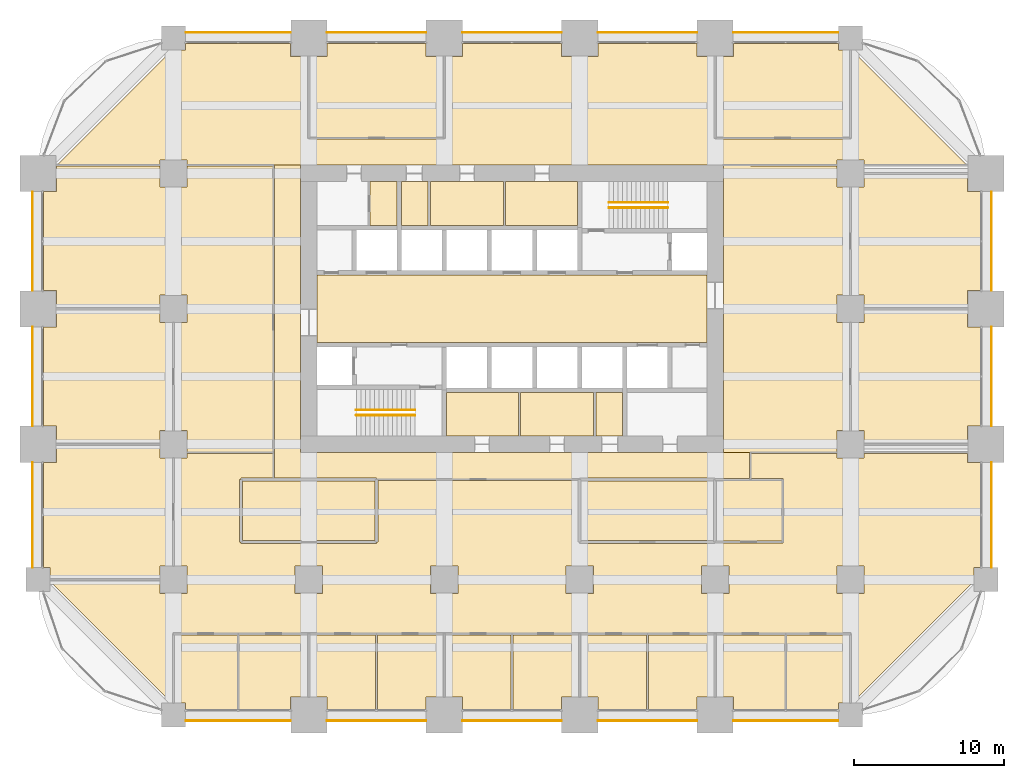
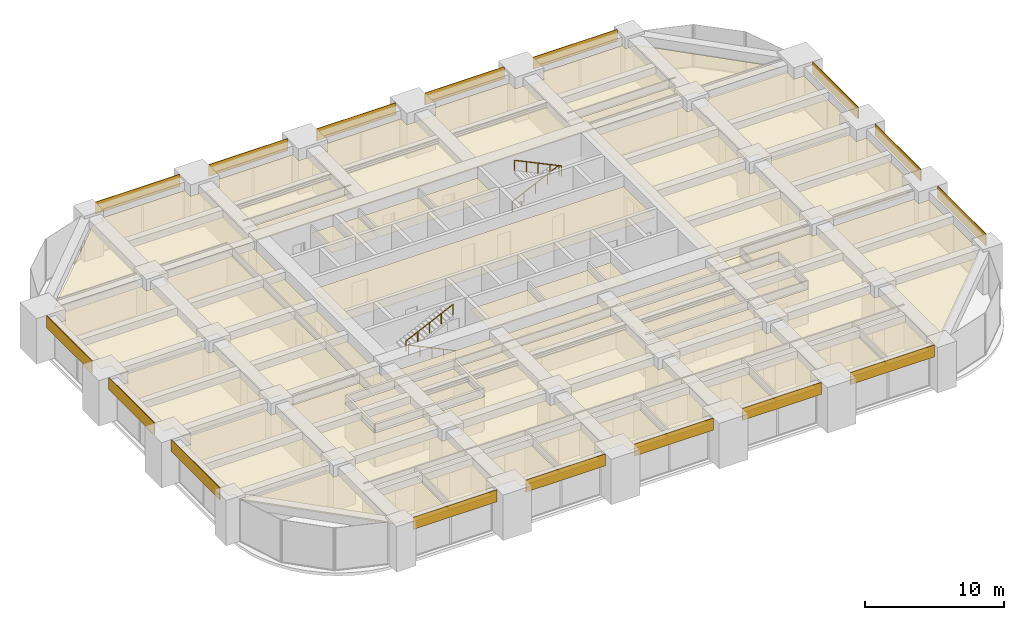
# One storey, part 40 of 40: 48 coverings, 4 railings.
"""IFC4 building model written with IfcOpenShell, lengths in metres."""

from ifc_helpers import new_model, si_unit, direction, frame, frame_2d, origin, origin_2d, place, context, subcontext, project, spatial, polyline, rectangle, circle, outline, extrude, material, layer, layer_set, type_object, element, save


model = new_model("IFC4")

# Units and contexts
model_context = context("Model", 3, precision=1e-05, world=origin(), true_north=direction((0.0, 1.0)))
body_context = subcontext(model_context, "Body", "Model", "MODEL_VIEW")
ifc_project = project(units=[si_unit("LENGTHUNIT", "METRE"), si_unit("AREAUNIT", "SQUARE_METRE"), si_unit("VOLUMEUNIT", "CUBIC_METRE"), si_unit("PLANEANGLEUNIT", "RADIAN"), si_unit("MASSUNIT", "GRAM", prefix="KILO")], contexts=[model_context])

# Site, building, storey
site_placement = place(None, origin())
site = spatial("IfcSite", under=ifc_project, at=site_placement, CompositionType="ELEMENT")
building_placement = place(site_placement, origin())
building = spatial("IfcBuilding", under=site, at=building_placement, Name="Zorevar Civic Tower", CompositionType="ELEMENT")
storey_placement = place(building_placement, frame((0.0, 0.0, 133.0)))
storey = spatial("IfcBuildingStorey", under=building, at=storey_placement, Name="L32", CompositionType="ELEMENT", Elevation=133.0)

# Railings
ifc_material_1 = material(Name="Black steel handrail", Category="steel")
railing_type = type_object("IfcRailingType", Name="Handrail HR1 900", PredefinedType="HANDRAIL", material=ifc_material_1)
railing_1_placement = place(storey_placement, frame((25.050048828125, 19.925048828125, 0.142822265625)))
element("IfcRailing", 1, at=railing_1_placement, inside=storey, type_object=railing_type, Name="Handrail HR1 ST1 L32", PredefinedType="HANDRAIL", context=body_context, shape_type="SweptSolid", body=[
    extrude(circle(Radius=0.02392578125, at=origin_2d()), frame((0.0, 0.0, 0.8759765625), z_axis=(-0.902863652845, 0.0, 0.429926998885), x_axis=(0.0, -1.0, 0.0)), (0.0, 0.0, 1.0), 4.31982421875),
    extrude(circle(Radius=0.02099609375, at=origin_2d()), origin(), (0.0, 0.0, 1.0), 0.851806640625),
    extrude(circle(Radius=0.02099609375, at=origin_2d()), frame((-0.97509765625, 0.0, 0.46435546875)), (0.0, 0.0, 1.0), 0.851806640625),
    extrude(circle(Radius=0.02099609375, at=origin_2d()), frame((-1.9501953125, 0.0, 0.9287109375)), (0.0, 0.0, 1.0), 0.851806640625),
    extrude(circle(Radius=0.02099609375, at=origin_2d()), frame((-2.925048828125, 0.0, 1.392822265625)), (0.0, 0.0, 1.0), 0.851806640625),
    extrude(circle(Radius=0.02099609375, at=origin_2d()), frame((-3.900146484375, 0.0, 1.857177734375)), (0.0, 0.0, 1.0), 0.851806640625),
])
for number, where, name in (
    (2, (21.14990234375, 20.27490234375, 2.142822265625), "Handrail HR1 ST1 L32"),
    (3, (37.949951171875, 34.074951171875, 0.142822265625), "Handrail HR1 ST2 L32"),
):
    element("IfcRailing", number, at=place(storey_placement, frame(where)), inside=storey, type_object=railing_type, Name=name, PredefinedType="HANDRAIL", context=body_context, shape_type="SweptSolid", body=[
        extrude(circle(Radius=0.02392578125, at=origin_2d()), frame((0.0, 0.0, 0.8759765625), z_axis=(0.902863652845, 0.0, 0.429926998885), x_axis=(0.0, 1.0, 0.0)), (0.0, 0.0, 1.0), 4.31982421875),
        extrude(circle(Radius=0.02099609375, at=origin_2d()), origin(), (0.0, 0.0, 1.0), 0.851806640625),
        extrude(circle(Radius=0.02099609375, at=origin_2d()), frame((0.97509765625, 0.0, 0.46435546875)), (0.0, 0.0, 1.0), 0.851806640625),
        extrude(circle(Radius=0.02099609375, at=origin_2d()), frame((1.9501953125, 0.0, 0.9287109375)), (0.0, 0.0, 1.0), 0.851806640625),
        extrude(circle(Radius=0.02099609375, at=origin_2d()), frame((2.925048828125, 0.0, 1.392822265625)), (0.0, 0.0, 1.0), 0.851806640625),
        extrude(circle(Radius=0.02099609375, at=origin_2d()), frame((3.900146484375, 0.0, 1.857177734375)), (0.0, 0.0, 1.0), 0.851806640625),
    ])
railing_2_placement = place(storey_placement, frame((41.85009765625, 33.72509765625, 2.142822265625)))
element("IfcRailing", 4, at=railing_2_placement, inside=storey, type_object=railing_type, Name="Handrail HR1 ST2 L32", PredefinedType="HANDRAIL", context=body_context, shape_type="SweptSolid", body=[
    extrude(circle(Radius=0.02392578125, at=origin_2d()), frame((0.0, 0.0, 0.8759765625), z_axis=(-0.902863652845, 0.0, 0.429926998885), x_axis=(0.0, -1.0, 0.0)), (0.0, 0.0, 1.0), 4.31982421875),
    extrude(circle(Radius=0.02099609375, at=origin_2d()), origin(), (0.0, 0.0, 1.0), 0.851806640625),
    extrude(circle(Radius=0.02099609375, at=origin_2d()), frame((-0.97509765625, 0.0, 0.46435546875)), (0.0, 0.0, 1.0), 0.851806640625),
    extrude(circle(Radius=0.02099609375, at=origin_2d()), frame((-1.9501953125, 0.0, 0.9287109375)), (0.0, 0.0, 1.0), 0.851806640625),
    extrude(circle(Radius=0.02099609375, at=origin_2d()), frame((-2.925048828125, 0.0, 1.392822265625)), (0.0, 0.0, 1.0), 0.851806640625),
    extrude(circle(Radius=0.02099609375, at=origin_2d()), frame((-3.900146484375, 0.0, 1.857177734375)), (0.0, 0.0, 1.0), 0.851806640625),
])

# Coverings
ifc_material_2 = material(Name="Moisture-resistant gypsum board")
ifc_layer_1 = layer(ifc_material_2, 0.012451171875)
ifc_layer_set_1 = layer_set([ifc_layer_1], Name="Moisture-resistant ceiling SC3")
covering_type_1 = type_object("IfcCoveringType", Name="Moisture-resistant ceiling SC3", PredefinedType="CEILING", material=ifc_layer_set_1)
covering_1_placement = place(storey_placement, frame((0.0, 0.0, 3.0)))
element("IfcCovering", 5, at=covering_1_placement, inside=storey, type_object=covering_type_1, Name="Ceiling L32-05", PredefinedType="CEILING", context=body_context, shape_type="SweptSolid", body=[
    extrude(outline(polyline([(31.925048828125, 18.550048828125), (31.925048828125, 21.449951171875), (27.14990234375, 21.449951171875), (27.14990234375, 18.550048828125), (31.925048828125, 18.550048828125)])), origin(), (0.0, 0.0, 1.0), 0.012451171875),
])
covering_2_placement = place(storey_placement, frame((0.0, 0.0, 3.0)))
element("IfcCovering", 6, at=covering_2_placement, inside=storey, type_object=covering_type_1, Name="Ceiling L32-06", PredefinedType="CEILING", context=body_context, shape_type="SweptSolid", body=[
    extrude(outline(polyline([(36.925048828125, 18.550048828125), (36.925048828125, 21.449951171875), (32.074951171875, 21.449951171875), (32.074951171875, 18.550048828125), (36.925048828125, 18.550048828125)])), origin(), (0.0, 0.0, 1.0), 0.012451171875),
])
covering_3_placement = place(storey_placement, frame((0.0, 0.0, 3.0)))
element("IfcCovering", 7, at=covering_3_placement, inside=storey, type_object=covering_type_1, Name="Ceiling L32-07", PredefinedType="CEILING", context=body_context, shape_type="SweptSolid", body=[
    extrude(outline(polyline([(38.85009765625, 18.550048828125), (38.85009765625, 21.449951171875), (37.074951171875, 21.449951171875), (37.074951171875, 18.550048828125), (38.85009765625, 18.550048828125)])), origin(), (0.0, 0.0, 1.0), 0.012451171875),
])
covering_4_placement = place(storey_placement, frame((0.0, 0.0, 3.0)))
element("IfcCovering", 8, at=covering_4_placement, inside=storey, type_object=covering_type_1, Name="Ceiling L32-08", PredefinedType="CEILING", context=body_context, shape_type="SweptSolid", body=[
    extrude(outline(polyline([(35.85009765625, 32.550048828125), (35.85009765625, 35.449951171875), (31.074951171875, 35.449951171875), (31.074951171875, 32.550048828125), (35.85009765625, 32.550048828125)])), origin(), (0.0, 0.0, 1.0), 0.012451171875),
])
covering_5_placement = place(storey_placement, frame((0.0, 0.0, 3.0)))
element("IfcCovering", 9, at=covering_5_placement, inside=storey, type_object=covering_type_1, Name="Ceiling L32-09", PredefinedType="CEILING", context=body_context, shape_type="SweptSolid", body=[
    extrude(outline(polyline([(30.925048828125, 32.550048828125), (30.925048828125, 35.449951171875), (26.074951171875, 35.449951171875), (26.074951171875, 32.550048828125), (30.925048828125, 32.550048828125)])), origin(), (0.0, 0.0, 1.0), 0.012451171875),
])
covering_6_placement = place(storey_placement, frame((0.0, 0.0, 3.0)))
element("IfcCovering", 10, at=covering_6_placement, inside=storey, type_object=covering_type_1, Name="Ceiling L32-10", PredefinedType="CEILING", context=body_context, shape_type="SweptSolid", body=[
    extrude(outline(polyline([(25.925048828125, 32.550048828125), (25.925048828125, 35.449951171875), (24.14990234375, 35.449951171875), (24.14990234375, 32.550048828125), (25.925048828125, 32.550048828125)])), origin(), (0.0, 0.0, 1.0), 0.012451171875),
])
ifc_material_3 = material(Name="Black anodised aluminium spandrel panel", Category="aluminium")
ifc_layer_2 = layer(ifc_material_3, 0.050048828125)
ifc_layer_set_2 = layer_set([ifc_layer_2], Name="Spandrel cladding SP1")
covering_type_2 = type_object("IfcCoveringType", Name="Spandrel cladding SP1", PredefinedType="CLADDING", material=ifc_layer_set_2)
covering_7_placement = place(storey_placement, frame((9.800048828125, -0.375, 2.949951171875), z_axis=(0.0, 0.0, 1.0), x_axis=(1.0, 0.0, 0.0)))
element("IfcCovering", 11, at=covering_7_placement, inside=storey, type_object=covering_type_2, Name="Spandrel cladding L33", PredefinedType="CLADDING", context=body_context, shape_type="SweptSolid", body=[
    extrude(rectangle(XDim=7.0, YDim=0.050048828125, at=frame_2d((3.5, 0.0))), origin(), (0.0, 0.0, 1.0), 1.050048828125),
])
for number, where, z_axis, x_axis, name in (
    (12, (19.199951171875, -0.375, 2.949951171875), (0.0, 0.0, 1.0), (1.0, 0.0, 0.0), "Spandrel cladding L33"),
    (13, (28.199951171875, -0.375, 2.949951171875), (0.0, 0.0, 1.0), (1.0, 0.0, 0.0), "Spandrel cladding L33"),
    (14, (37.199951171875, -0.375, 2.949951171875), (0.0, 0.0, 1.0), (1.0, 0.0, 0.0), "Spandrel cladding L33"),
):
    element("IfcCovering", number, at=place(storey_placement, frame(where, z_axis=z_axis, x_axis=x_axis)), inside=storey, type_object=covering_type_2, Name=name, PredefinedType="CLADDING", context=body_context, shape_type="SweptSolid", body=[
        extrude(rectangle(XDim=6.60009765625, YDim=0.050048828125, at=frame_2d((3.300048828125, 0.0))), origin(), (0.0, 0.0, 1.0), 1.050048828125),
    ])
for number, where, z_axis, x_axis, name in (
    (15, (46.199951171875, -0.375, 2.949951171875), (0.0, 0.0, 1.0), (1.0, 0.0, 0.0), "Spandrel cladding L33"),
    (16, (9.800048828125, 45.375, 2.949951171875), (0.0, 0.0, 1.0), (1.0, 0.0, 0.0), "Spandrel cladding L33"),
):
    element("IfcCovering", number, at=place(storey_placement, frame(where, z_axis=z_axis, x_axis=x_axis)), inside=storey, type_object=covering_type_2, Name=name, PredefinedType="CLADDING", context=body_context, shape_type="SweptSolid", body=[
        extrude(rectangle(XDim=7.0, YDim=0.050048828125, at=frame_2d((3.5, 0.0))), origin(), (0.0, 0.0, 1.0), 1.050048828125),
    ])
for number, where, z_axis, x_axis, name in (
    (17, (19.199951171875, 45.375, 2.949951171875), (0.0, 0.0, 1.0), (1.0, 0.0, 0.0), "Spandrel cladding L33"),
    (18, (28.199951171875, 45.375, 2.949951171875), (0.0, 0.0, 1.0), (1.0, 0.0, 0.0), "Spandrel cladding L33"),
    (19, (37.199951171875, 45.375, 2.949951171875), (0.0, 0.0, 1.0), (1.0, 0.0, 0.0), "Spandrel cladding L33"),
):
    element("IfcCovering", number, at=place(storey_placement, frame(where, z_axis=z_axis, x_axis=x_axis)), inside=storey, type_object=covering_type_2, Name=name, PredefinedType="CLADDING", context=body_context, shape_type="SweptSolid", body=[
        extrude(rectangle(XDim=6.60009765625, YDim=0.050048828125, at=frame_2d((3.300048828125, 0.0))), origin(), (0.0, 0.0, 1.0), 1.050048828125),
    ])
for number, where, z_axis, x_axis, name in (
    (20, (46.199951171875, 45.375, 2.949951171875), (0.0, 0.0, 1.0), (1.0, 0.0, 0.0), "Spandrel cladding L33"),
    (21, (-0.375, 9.800048828125, 2.949951171875), (0.0, 0.0, 1.0), (0.0, 1.0, 0.0), "Spandrel cladding L33"),
):
    element("IfcCovering", number, at=place(storey_placement, frame(where, z_axis=z_axis, x_axis=x_axis)), inside=storey, type_object=covering_type_2, Name=name, PredefinedType="CLADDING", context=body_context, shape_type="SweptSolid", body=[
        extrude(rectangle(XDim=7.0, YDim=0.050048828125, at=frame_2d((3.5, 0.0))), origin(), (0.0, 0.0, 1.0), 1.050048828125),
    ])
for number, where, z_axis, x_axis, name in (
    (22, (-0.375, 19.199951171875, 2.949951171875), (0.0, 0.0, 1.0), (0.0, 1.0, 0.0), "Spandrel cladding L33"),
    (23, (-0.375, 28.199951171875, 2.949951171875), (0.0, 0.0, 1.0), (0.0, 1.0, 0.0), "Spandrel cladding L33"),
):
    element("IfcCovering", number, at=place(storey_placement, frame(where, z_axis=z_axis, x_axis=x_axis)), inside=storey, type_object=covering_type_2, Name=name, PredefinedType="CLADDING", context=body_context, shape_type="SweptSolid", body=[
        extrude(rectangle(XDim=6.60009765625, YDim=0.050048828125, at=frame_2d((3.300048828125, 0.0))), origin(), (0.0, 0.0, 1.0), 1.050048828125),
    ])
covering_8_placement = place(storey_placement, frame((63.375, 9.800048828125, 2.949951171875), z_axis=(0.0, 0.0, 1.0), x_axis=(0.0, 1.0, 0.0)))
element("IfcCovering", 24, at=covering_8_placement, inside=storey, type_object=covering_type_2, Name="Spandrel cladding L33", PredefinedType="CLADDING", context=body_context, shape_type="SweptSolid", body=[
    extrude(rectangle(XDim=7.0, YDim=0.050048828125, at=frame_2d((3.5, 0.0))), origin(), (0.0, 0.0, 1.0), 1.050048828125),
])
for number, where, z_axis, x_axis, name in (
    (25, (63.375, 19.199951171875, 2.949951171875), (0.0, 0.0, 1.0), (0.0, 1.0, 0.0), "Spandrel cladding L33"),
    (26, (63.375, 28.199951171875, 2.949951171875), (0.0, 0.0, 1.0), (0.0, 1.0, 0.0), "Spandrel cladding L33"),
):
    element("IfcCovering", number, at=place(storey_placement, frame(where, z_axis=z_axis, x_axis=x_axis)), inside=storey, type_object=covering_type_2, Name=name, PredefinedType="CLADDING", context=body_context, shape_type="SweptSolid", body=[
        extrude(rectangle(XDim=6.60009765625, YDim=0.050048828125, at=frame_2d((3.300048828125, 0.0))), origin(), (0.0, 0.0, 1.0), 1.050048828125),
    ])
ifc_material_4 = material(Name="Mineral fibre tiles on a concealed grid")
ifc_layer_3 = layer(ifc_material_4, 0.02001953125)
ifc_layer_set_3 = layer_set([ifc_layer_3], Name="Suspended ceiling SC1")
covering_type_3 = type_object("IfcCoveringType", Name="Suspended ceiling SC1", PredefinedType="CEILING", material=ifc_layer_set_3)
covering_9_placement = place(storey_placement, frame((0.0, 0.0, 3.0)))
element("IfcCovering", 27, at=covering_9_placement, inside=storey, type_object=covering_type_3, Name="Ceiling L32-12", PredefinedType="CEILING", context=body_context, shape_type="SweptSolid", body=[
    extrude(outline(polyline([(23.85009765625, 32.550048828125), (23.85009765625, 35.449951171875), (22.06005859375, 35.449951171875), (22.06005859375, 32.550048828125), (23.85009765625, 32.550048828125)])), origin(), (0.0, 0.0, 1.0), 0.02001953125),
])
covering_10_placement = place(storey_placement, frame((0.0, 0.0, 3.0)))
element("IfcCovering", 28, at=covering_10_placement, inside=storey, type_object=covering_type_3, Name="Ceiling L32-16", PredefinedType="CEILING", context=body_context, shape_type="SweptSolid", body=[
    extrude(outline(polyline([(44.449951171875, 24.75), (44.449951171875, 29.25), (18.550048828125, 29.25), (18.550048828125, 24.75), (44.449951171875, 24.75)])), origin(), (0.0, 0.0, 1.0), 0.02001953125),
])
covering_11_placement = place(storey_placement, frame((0.0, 0.0, 3.0)))
element("IfcCovering", 29, at=covering_11_placement, inside=storey, type_object=covering_type_3, Name="Ceiling L32-17", PredefinedType="CEILING", context=body_context, shape_type="SweptSolid", body=[
    extrude(outline(polyline([(13.239990234375, 5.340087890625), (13.239990234375, 0.35009765625), (9.81005859375, 0.35009765625), (9.81005859375, 0.81005859375), (9.06005859375, 0.81005859375), (9.06005859375, 5.340087890625), (13.239990234375, 5.340087890625)])), origin(), (0.0, 0.0, 1.0), 0.02001953125),
])
covering_12_placement = place(storey_placement, frame((0.0, 0.0, 3.0)))
element("IfcCovering", 30, at=covering_12_placement, inside=storey, type_object=covering_type_3, Name="Ceiling L32-18", PredefinedType="CEILING", context=body_context, shape_type="SweptSolid", body=[
    extrude(outline(polyline([(17.93994140625, 5.340087890625), (17.93994140625, 1.2099609375), (16.7900390625, 1.2099609375), (16.7900390625, 0.35009765625), (13.360107421875, 0.35009765625), (13.360107421875, 5.340087890625), (17.93994140625, 5.340087890625)])), origin(), (0.0, 0.0, 1.0), 0.02001953125),
])
covering_13_placement = place(storey_placement, frame((0.0, 0.0, 3.0)))
element("IfcCovering", 31, at=covering_13_placement, inside=storey, type_object=covering_type_3, Name="Ceiling L32-19", PredefinedType="CEILING", context=body_context, shape_type="SweptSolid", body=[
    extrude(outline(polyline([(22.43994140625, 5.340087890625), (22.43994140625, 0.35009765625), (19.2099609375, 0.35009765625), (19.2099609375, 1.2099609375), (18.06005859375, 1.2099609375), (18.06005859375, 5.340087890625), (22.43994140625, 5.340087890625)])), origin(), (0.0, 0.0, 1.0), 0.02001953125),
])
covering_14_placement = place(storey_placement, frame((0.0, 0.0, 3.0)))
element("IfcCovering", 32, at=covering_14_placement, inside=storey, type_object=covering_type_3, Name="Ceiling L32-20", PredefinedType="CEILING", context=body_context, shape_type="SweptSolid", body=[
    extrude(outline(polyline([(26.93994140625, 5.340087890625), (26.93994140625, 1.2099609375), (25.7900390625, 1.2099609375), (25.7900390625, 0.35009765625), (22.56005859375, 0.35009765625), (22.56005859375, 5.340087890625), (26.93994140625, 5.340087890625)])), origin(), (0.0, 0.0, 1.0), 0.02001953125),
])
covering_15_placement = place(storey_placement, frame((0.0, 0.0, 3.0)))
element("IfcCovering", 33, at=covering_15_placement, inside=storey, type_object=covering_type_3, Name="Ceiling L32-21", PredefinedType="CEILING", context=body_context, shape_type="SweptSolid", body=[
    extrude(outline(polyline([(31.43994140625, 5.340087890625), (31.43994140625, 0.35009765625), (28.2099609375, 0.35009765625), (28.2099609375, 1.2099609375), (27.06005859375, 1.2099609375), (27.06005859375, 5.340087890625), (31.43994140625, 5.340087890625)])), origin(), (0.0, 0.0, 1.0), 0.02001953125),
])
covering_16_placement = place(storey_placement, frame((0.0, 0.0, 3.0)))
element("IfcCovering", 34, at=covering_16_placement, inside=storey, type_object=covering_type_3, Name="Ceiling L32-22", PredefinedType="CEILING", context=body_context, shape_type="SweptSolid", body=[
    extrude(outline(polyline([(35.93994140625, 5.340087890625), (35.93994140625, 1.2099609375), (34.7900390625, 1.2099609375), (34.7900390625, 0.35009765625), (31.56005859375, 0.35009765625), (31.56005859375, 5.340087890625), (35.93994140625, 5.340087890625)])), origin(), (0.0, 0.0, 1.0), 0.02001953125),
])
covering_17_placement = place(storey_placement, frame((0.0, 0.0, 3.0)))
element("IfcCovering", 35, at=covering_17_placement, inside=storey, type_object=covering_type_3, Name="Ceiling L32-23", PredefinedType="CEILING", context=body_context, shape_type="SweptSolid", body=[
    extrude(outline(polyline([(40.43994140625, 5.340087890625), (40.43994140625, 0.35009765625), (37.2099609375, 0.35009765625), (37.2099609375, 1.2099609375), (36.06005859375, 1.2099609375), (36.06005859375, 5.340087890625), (40.43994140625, 5.340087890625)])), origin(), (0.0, 0.0, 1.0), 0.02001953125),
])
covering_18_placement = place(storey_placement, frame((0.0, 0.0, 3.0)))
element("IfcCovering", 36, at=covering_18_placement, inside=storey, type_object=covering_type_3, Name="Ceiling L32-24", PredefinedType="CEILING", context=body_context, shape_type="SweptSolid", body=[
    extrude(outline(polyline([(44.93994140625, 5.340087890625), (44.93994140625, 1.2099609375), (43.7900390625, 1.2099609375), (43.7900390625, 0.35009765625), (40.56005859375, 0.35009765625), (40.56005859375, 5.340087890625), (44.93994140625, 5.340087890625)])), origin(), (0.0, 0.0, 1.0), 0.02001953125),
])
covering_19_placement = place(storey_placement, frame((0.0, 0.0, 3.0)))
element("IfcCovering", 37, at=covering_19_placement, inside=storey, type_object=covering_type_3, Name="Ceiling L32-25", PredefinedType="CEILING", context=body_context, shape_type="SweptSolid", body=[
    extrude(outline(polyline([(49.639892578125, 5.340087890625), (49.639892578125, 0.35009765625), (46.2099609375, 0.35009765625), (46.2099609375, 1.2099609375), (45.06005859375, 1.2099609375), (45.06005859375, 5.340087890625), (49.639892578125, 5.340087890625)])), origin(), (0.0, 0.0, 1.0), 0.02001953125),
])
covering_20_placement = place(storey_placement, frame((0.0, 0.0, 3.0)))
element("IfcCovering", 38, at=covering_20_placement, inside=storey, type_object=covering_type_3, Name="Ceiling L32-26", PredefinedType="CEILING", context=body_context, shape_type="SweptSolid", body=[
    extrude(outline(polyline([(53.93994140625, 5.340087890625), (53.93994140625, 0.81005859375), (53.18994140625, 0.81005859375), (53.18994140625, 0.35009765625), (49.760009765625, 0.35009765625), (49.760009765625, 5.340087890625), (53.93994140625, 5.340087890625)])), origin(), (0.0, 0.0, 1.0), 0.02001953125),
])
covering_21_placement = place(storey_placement, frame((0.0, 0.0, 3.0)))
element("IfcCovering", 39, at=covering_21_placement, inside=storey, type_object=covering_type_3, Name="Ceiling L32-27", PredefinedType="CEILING", context=body_context, shape_type="SweptSolid", body=[
    extrude(outline(polyline([(8.93994140625, 9.909912109375), (8.090087890625, 9.909912109375), (8.090087890625, 9.06005859375), (0.81005859375, 9.06005859375), (0.81005859375, 9.81005859375), (0.35009765625, 9.81005859375), (0.35009765625, 16.7900390625), (1.2099609375, 16.7900390625), (1.2099609375, 17.93994140625), (8.090087890625, 17.93994140625), (8.090087890625, 17.090087890625), (8.93994140625, 17.090087890625), (8.93994140625, 9.909912109375)])), origin(), (0.0, 0.0, 1.0), 0.02001953125),
])
covering_22_placement = place(storey_placement, frame((0.0, 0.0, 3.0)))
element("IfcCovering", 40, at=covering_22_placement, inside=storey, type_object=covering_type_3, Name="Ceiling L32-28", PredefinedType="CEILING", context=body_context, shape_type="SweptSolid", body=[
    extrude(outline(polyline([(8.93994140625, 18.909912109375), (8.090087890625, 18.909912109375), (8.090087890625, 18.06005859375), (1.2099609375, 18.06005859375), (1.2099609375, 19.2099609375), (0.35009765625, 19.2099609375), (0.35009765625, 25.7900390625), (1.2099609375, 25.7900390625), (1.2099609375, 26.93994140625), (8.090087890625, 26.93994140625), (8.090087890625, 26.090087890625), (8.93994140625, 26.090087890625), (8.93994140625, 18.909912109375)])), origin(), (0.0, 0.0, 1.0), 0.02001953125),
])
covering_23_placement = place(storey_placement, frame((0.0, 0.0, 3.0)))
element("IfcCovering", 41, at=covering_23_placement, inside=storey, type_object=covering_type_3, Name="Ceiling L32-29", PredefinedType="CEILING", context=body_context, shape_type="SweptSolid", body=[
    extrude(outline(polyline([(62.64990234375, 19.2099609375), (61.7900390625, 19.2099609375), (61.7900390625, 18.06005859375), (54.909912109375, 18.06005859375), (54.909912109375, 18.909912109375), (54.06005859375, 18.909912109375), (54.06005859375, 26.090087890625), (54.909912109375, 26.090087890625), (54.909912109375, 26.93994140625), (61.7900390625, 26.93994140625), (61.7900390625, 25.7900390625), (62.64990234375, 25.7900390625), (62.64990234375, 19.2099609375)])), origin(), (0.0, 0.0, 1.0), 0.02001953125),
])
covering_24_placement = place(storey_placement, frame((0.0, 0.0, 3.0)))
element("IfcCovering", 42, at=covering_24_placement, inside=storey, type_object=covering_type_3, Name="Ceiling L32-30", PredefinedType="CEILING", context=body_context, shape_type="SweptSolid", body=[
    extrude(outline(polyline([(62.64990234375, 28.2099609375), (61.7900390625, 28.2099609375), (61.7900390625, 27.06005859375), (54.909912109375, 27.06005859375), (54.909912109375, 27.909912109375), (54.06005859375, 27.909912109375), (54.06005859375, 35.090087890625), (54.909912109375, 35.090087890625), (54.909912109375, 35.93994140625), (61.7900390625, 35.93994140625), (61.7900390625, 34.7900390625), (62.64990234375, 34.7900390625), (62.64990234375, 28.2099609375)])), origin(), (0.0, 0.0, 1.0), 0.02001953125),
])
covering_25_placement = place(storey_placement, frame((0.0, 0.0, 3.0)))
element("IfcCovering", 43, at=covering_25_placement, inside=storey, type_object=covering_type_3, Name="Ceiling L32-31", PredefinedType="CEILING", context=body_context, shape_type="SweptSolid", body=[
    extrude(outline(polyline([(13.60009765625, 15.550048828125), (22.39990234375, 15.550048828125), (22.39990234375, 11.60009765625), (13.60009765625, 11.60009765625), (13.60009765625, 15.550048828125)])), origin(), (0.0, 0.0, 1.0), 0.02001953125),
])
covering_26_placement = place(storey_placement, frame((0.0, 0.0, 3.0)))
element("IfcCovering", 44, at=covering_26_placement, inside=storey, type_object=covering_type_3, Name="Ceiling L32-32", PredefinedType="CEILING", context=body_context, shape_type="SweptSolid", body=[
    extrude(outline(polyline([(36.10009765625, 15.550048828125), (44.89990234375, 15.550048828125), (44.89990234375, 11.60009765625), (36.10009765625, 11.60009765625), (36.10009765625, 15.550048828125)])), origin(), (0.0, 0.0, 1.0), 0.02001953125),
])
covering_27_placement = place(storey_placement, frame((0.0, 0.0, 3.0)))
element("IfcCovering", 45, at=covering_27_placement, inside=storey, type_object=covering_type_3, Name="Ceiling L32-33", PredefinedType="CEILING", context=body_context, shape_type="SweptSolid", body=[
    extrude(outline(polyline([(49.43994140625, 15.590087890625), (49.43994140625, 11.56005859375), (45.10009765625, 11.56005859375), (45.10009765625, 15.590087890625), (49.43994140625, 15.590087890625)])), origin(), (0.0, 0.0, 1.0), 0.02001953125),
])
covering_28_placement = place(storey_placement, frame((0.0, 0.0, 3.0)))
element("IfcCovering", 46, at=covering_28_placement, inside=storey, type_object=covering_type_3, Name="Ceiling L32-34", PredefinedType="CEILING", context=body_context, shape_type="SweptSolid", body=[
    extrude(outline(polyline([(19.2099609375, 43.7900390625), (19.2099609375, 44.64990234375), (25.7900390625, 44.64990234375), (25.7900390625, 43.7900390625), (26.93994140625, 43.7900390625), (26.93994140625, 38.39990234375), (18.06005859375, 38.39990234375), (18.06005859375, 43.7900390625), (19.2099609375, 43.7900390625)])), origin(), (0.0, 0.0, 1.0), 0.02001953125),
])
covering_29_placement = place(storey_placement, frame((0.0, 0.0, 3.0)))
element("IfcCovering", 47, at=covering_29_placement, inside=storey, type_object=covering_type_3, Name="Ceiling L32-35", PredefinedType="CEILING", context=body_context, shape_type="SweptSolid", body=[
    extrude(outline(polyline([(46.2099609375, 43.7900390625), (46.2099609375, 44.64990234375), (53.18994140625, 44.64990234375), (53.18994140625, 44.18994140625), (53.93994140625, 44.18994140625), (53.93994140625, 38.39990234375), (45.06005859375, 38.39990234375), (45.06005859375, 43.7900390625), (46.2099609375, 43.7900390625)])), origin(), (0.0, 0.0, 1.0), 0.02001953125),
])
covering_30_placement = place(storey_placement, frame((0.0, 0.0, 3.0)))
element("IfcCovering", 48, at=covering_30_placement, inside=storey, type_object=covering_type_3, Name="Ceiling L32-36", PredefinedType="CEILING", context=body_context, shape_type="SweptSolid", body=[
    extrude(outline(polyline([(47.300048828125, 15.7099609375), (45.0, 15.7099609375), (45.0, 15.75), (36.0, 15.75), (36.0, 15.699951171875), (22.5, 15.699951171875), (22.5, 15.75), (15.699951171875, 15.75), (15.699951171875, 36.550048828125), (17.449951171875, 36.550048828125), (17.449951171875, 17.449951171875), (47.300048828125, 17.449951171875), (47.300048828125, 15.7099609375)])), origin(), (0.0, 0.0, 1.0), 0.02001953125),
])
covering_31_placement = place(storey_placement, frame((0.0, 0.0, 3.0)))
element("IfcCovering", 49, at=covering_31_placement, inside=storey, type_object=covering_type_3, Name="Ceiling L32-37", PredefinedType="CEILING", context=body_context, shape_type="SweptSolid", body=[
    extrude(outline(polyline([(53.090087890625, 18.909912109375), (53.090087890625, 17.5), (47.35009765625, 17.5), (47.35009765625, 17.449951171875), (45.550048828125, 17.449951171875), (45.550048828125, 36.550048828125), (47.35009765625, 36.550048828125), (47.35009765625, 36.5), (53.090087890625, 36.5), (53.090087890625, 35.090087890625), (53.93994140625, 35.090087890625), (53.93994140625, 27.909912109375), (53.090087890625, 27.909912109375), (53.090087890625, 26.090087890625), (53.93994140625, 26.090087890625), (53.93994140625, 18.909912109375), (53.090087890625, 18.909912109375)])), origin(), (0.0, 0.0, 1.0), 0.02001953125),
])
covering_32_placement = place(storey_placement, frame((0.0, 0.0, 3.0)))
element("IfcCovering", 50, at=covering_32_placement, inside=storey, type_object=covering_type_3, Name="Ceiling L32-38", PredefinedType="CEILING", context=body_context, shape_type="SweptSolid", body=[
    extrude(outline(polyline([(28.2099609375, 44.64990234375), (34.7900390625, 44.64990234375), (34.7900390625, 43.7900390625), (37.2099609375, 43.7900390625), (37.2099609375, 44.64990234375), (43.7900390625, 44.64990234375), (43.7900390625, 43.7900390625), (44.93994140625, 43.7900390625), (44.93994140625, 38.35009765625), (45.0, 38.35009765625), (45.0, 38.300048828125), (54.0, 38.300048828125), (54.0, 38.35009765625), (54.06005859375, 38.35009765625), (54.06005859375, 44.18994140625), (54.102783203125, 44.18994140625), (61.69287109375, 36.60009765625), (54.909912109375, 36.60009765625), (54.909912109375, 36.909912109375), (53.090087890625, 36.909912109375), (53.090087890625, 36.60009765625), (47.35009765625, 36.60009765625), (47.35009765625, 36.550048828125), (15.64990234375, 36.550048828125), (15.64990234375, 36.60009765625), (9.909912109375, 36.60009765625), (9.909912109375, 36.909912109375), (8.090087890625, 36.909912109375), (8.090087890625, 36.60009765625), (1.30712890625, 36.60009765625), (8.897216796875, 44.18994140625), (9.81005859375, 44.18994140625), (9.81005859375, 44.64990234375), (16.7900390625, 44.64990234375), (16.7900390625, 43.7900390625), (17.93994140625, 43.7900390625), (17.93994140625, 38.35009765625), (18.0, 38.35009765625), (18.0, 38.300048828125), (27.0, 38.300048828125), (27.0, 38.35009765625), (27.06005859375, 38.35009765625), (27.06005859375, 43.7900390625), (28.2099609375, 43.7900390625), (28.2099609375, 44.64990234375)])), origin(), (0.0, 0.0, 1.0), 0.02001953125),
])
covering_33_placement = place(storey_placement, frame((0.0, 0.0, 3.0)))
element("IfcCovering", 51, at=covering_33_placement, inside=storey, type_object=covering_type_3, Name="Ceiling L32-39", PredefinedType="CEILING", context=body_context, shape_type="SweptSolid", body=[
    extrude(outline(polyline([(22.60009765625, 15.60009765625), (35.89990234375, 15.60009765625), (35.89990234375, 11.5), (36.0, 11.5), (36.0, 11.39990234375), (45.0, 11.39990234375), (45.0, 11.43994140625), (49.5, 11.43994140625), (49.5, 11.5), (49.56005859375, 11.5), (49.56005859375, 15.64990234375), (49.5, 15.64990234375), (49.5, 15.7099609375), (47.39990234375, 15.7099609375), (47.39990234375, 17.39990234375), (53.090087890625, 17.39990234375), (53.090087890625, 17.090087890625), (54.909912109375, 17.090087890625), (54.909912109375, 17.39990234375), (61.7900390625, 17.39990234375), (61.7900390625, 16.7900390625), (62.64990234375, 16.7900390625), (62.64990234375, 9.81005859375), (62.18994140625, 9.81005859375), (62.18994140625, 8.897216796875), (54.102783203125, 0.81005859375), (54.06005859375, 0.81005859375), (54.06005859375, 5.39990234375), (54.0, 5.39990234375), (54.0, 5.4599609375), (9.0, 5.4599609375), (9.0, 5.39990234375), (8.93994140625, 5.39990234375), (8.93994140625, 0.81005859375), (8.897216796875, 0.81005859375), (0.81005859375, 8.897216796875), (0.81005859375, 8.93994140625), (8.090087890625, 8.93994140625), (8.090087890625, 8.090087890625), (9.909912109375, 8.090087890625), (9.909912109375, 9.909912109375), (9.06005859375, 9.909912109375), (9.06005859375, 17.090087890625), (9.909912109375, 17.090087890625), (9.909912109375, 17.39990234375), (15.60009765625, 17.39990234375), (15.60009765625, 15.75), (13.5, 15.75), (13.5, 15.64990234375), (13.39990234375, 15.64990234375), (13.39990234375, 11.5), (13.5, 11.5), (13.5, 11.39990234375), (22.5, 11.39990234375), (22.5, 11.5), (22.60009765625, 11.5), (22.60009765625, 15.60009765625)]), holes=[polyline([(17.090087890625, 8.090087890625), (18.909912109375, 8.090087890625), (18.909912109375, 9.909912109375), (17.090087890625, 9.909912109375), (17.090087890625, 8.090087890625)]), polyline([(26.090087890625, 9.909912109375), (26.090087890625, 8.090087890625), (27.909912109375, 8.090087890625), (27.909912109375, 9.909912109375), (26.090087890625, 9.909912109375)]), polyline([(36.909912109375, 9.909912109375), (35.090087890625, 9.909912109375), (35.090087890625, 8.090087890625), (36.909912109375, 8.090087890625), (36.909912109375, 9.909912109375)]), polyline([(45.909912109375, 8.090087890625), (45.909912109375, 9.909912109375), (44.090087890625, 9.909912109375), (44.090087890625, 8.090087890625), (45.909912109375, 8.090087890625)]), polyline([(53.090087890625, 9.909912109375), (53.090087890625, 8.090087890625), (54.909912109375, 8.090087890625), (54.909912109375, 9.909912109375), (53.090087890625, 9.909912109375)])]), origin(), (0.0, 0.0, 1.0), 0.02001953125),
])
covering_34_placement = place(storey_placement, frame((0.0, 0.0, 3.0)))
element("IfcCovering", 52, at=covering_34_placement, inside=storey, type_object=covering_type_3, Name="Ceiling L32-40", PredefinedType="CEILING", context=body_context, shape_type="SweptSolid", body=[
    extrude(outline(polyline([(1.2099609375, 28.2099609375), (0.35009765625, 28.2099609375), (0.35009765625, 34.7900390625), (1.2099609375, 34.7900390625), (1.2099609375, 36.5), (8.090087890625, 36.5), (8.090087890625, 35.090087890625), (9.909912109375, 35.090087890625), (9.909912109375, 36.5), (15.60009765625, 36.5), (15.60009765625, 17.5), (9.909912109375, 17.5), (9.909912109375, 18.909912109375), (9.06005859375, 18.909912109375), (9.06005859375, 26.090087890625), (9.909912109375, 26.090087890625), (9.909912109375, 27.909912109375), (8.090087890625, 27.909912109375), (8.090087890625, 27.06005859375), (1.2099609375, 27.06005859375), (1.2099609375, 28.2099609375)])), origin(), (0.0, 0.0, 1.0), 0.02001953125),
])

save(model, "model.ifc")
